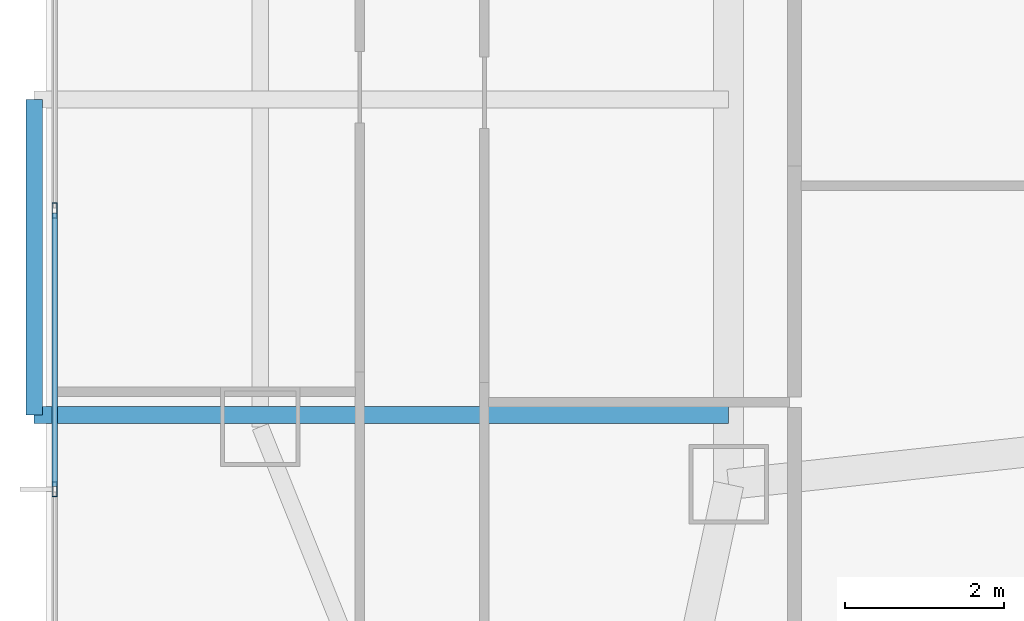
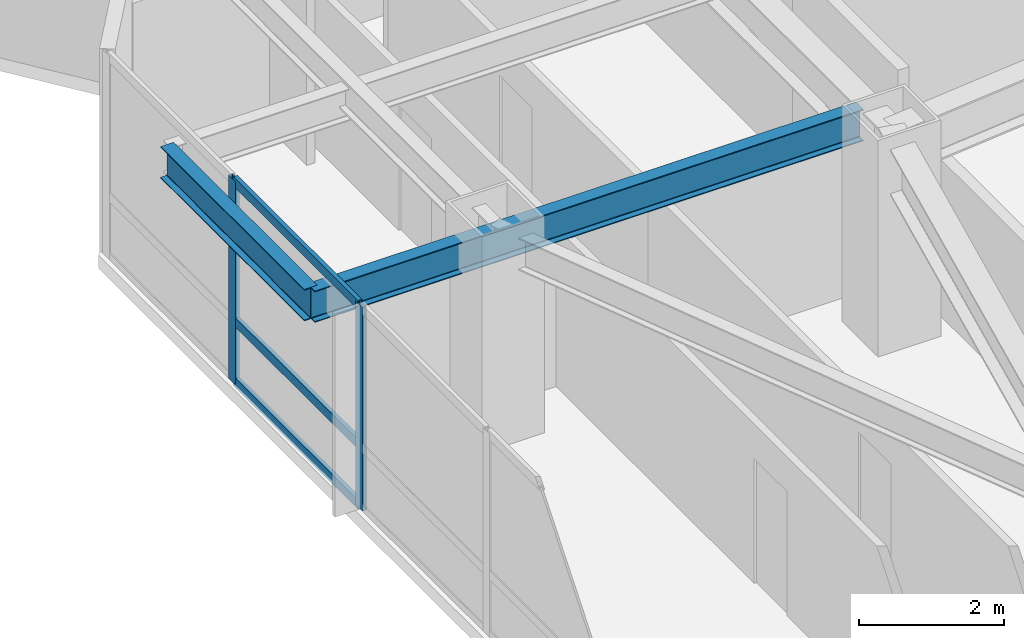
# One storey, part 4 of 18: 5 members, 2 beams, 1 element without a shape of its own.
"""IFC4 building model written with IfcOpenShell, lengths in metres."""

from ifc_helpers import new_model, si_unit, direction, frame, origin, origin_2d, place, context, subcontext, project, spatial, hollow_rectangle, i_section, extrude, material, material_profile, profile_set, type_object, element, aggregate, save


model = new_model("IFC4")

# Units and contexts
model_context = context("Model", 3, precision=1e-05, world=origin(), true_north=direction((0.0, 1.0)))
body_context = subcontext(model_context, "Body", "Model", "MODEL_VIEW")
ifc_project = project(units=[si_unit("LENGTHUNIT", "METRE"), si_unit("AREAUNIT", "SQUARE_METRE"), si_unit("VOLUMEUNIT", "CUBIC_METRE"), si_unit("PLANEANGLEUNIT", "RADIAN"), si_unit("MASSUNIT", "GRAM", prefix="KILO")], contexts=[model_context])

# Site, building, storey
site_placement = place(None, origin())
site = spatial("IfcSite", under=ifc_project, at=site_placement, CompositionType="ELEMENT")
building_placement = place(site_placement, origin())
building = spatial("IfcBuilding", under=site, at=building_placement, Name="Khamvora Tower", CompositionType="ELEMENT")
storey_placement = place(building_placement, frame((0.0, 0.0, 109.199951171875)))
storey = spatial("IfcBuildingStorey", under=building, at=storey_placement, Name="L27", CompositionType="ELEMENT", Elevation=109.199951171875)

# Beams
ifc_material_1 = material(Name="Steel S355", Category="steel")
ifc_material_profile_1 = material_profile(ifc_material_1, i_section(OverallWidth=0.208984375, OverallDepth=0.532958984375, WebThickness=0.010009765625, FlangeThickness=0.01611328125, FilletRadius=0.013916015625, at=origin_2d()), Name="W530x92")
ifc_profile_set_1 = profile_set([ifc_material_profile_1], Name="Steel S355")
beam_type = type_object("IfcBeamType", Name="BM-SP-W530x92", PredefinedType="SPANDREL", material=ifc_profile_set_1)
beam_1_placement = place(storey_placement, frame((18.0, 18.675048828125, 2.964111328125), z_axis=(-1.0, 0.0, 0.0), x_axis=(0.0, -1.0, 0.0)))
element("IfcBeam", 1, at=beam_1_placement, inside=storey, type_object=beam_type, Name="L27 continuous gallery cantilever girder L28-WL1-1", PredefinedType="SPANDREL", context=body_context, shape_type="SweptSolid", body=[
    extrude(i_section(OverallWidth=0.208984375, OverallDepth=0.532958984375, WebThickness=0.010009765625, FlangeThickness=0.01611328125, FilletRadius=0.013916015625, at=origin_2d()), origin(), (0.0, 0.0, 1.0), 8.75),
])
beam_2_placement = place(storey_placement, frame((9.25, 18.675048828125, 2.964111328125), z_axis=(0.0, 1.0, 0.0), x_axis=(-1.0, 0.0, 0.0)))
element("IfcBeam", 2, at=beam_2_placement, inside=storey, type_object=beam_type, Name="L27 external gallery edge header beam L28-WL1", PredefinedType="SPANDREL", context=body_context, shape_type="SweptSolid", body=[
    extrude(i_section(OverallWidth=0.208984375, OverallDepth=0.532958984375, WebThickness=0.010009765625, FlangeThickness=0.01611328125, FilletRadius=0.013916015625, at=origin_2d()), origin(), (0.0, 0.0, 1.0), 3.974853515625),
])

# Curtain wall, members
ifc_material_2 = material(Name="Anodised Aluminium 6063-T6", Category="aluminium")
curtain_wall_type = type_object("IfcCurtainWallType", Name="CW-SYS-03", PredefinedType="NOTDEFINED", material=ifc_material_2)
curtain_wall_placement = place(storey_placement, origin())
curtain_wall = element("IfcCurtainWall", 3, at=curtain_wall_placement, inside=storey, type_object=curtain_wall_type, Name="L27 stick curtain wall 02.1", PredefinedType="NOTDEFINED")
ifc_material_profile_2 = material_profile(ifc_material_2, hollow_rectangle(XDim=0.06494140625, YDim=0.18994140625, WallThickness=0.0048828125, at=origin_2d()), Name="MUL65x190x5")
ifc_profile_set_2 = profile_set([ifc_material_profile_2], Name="Anodised Aluminium 6063-T6")
member_type_1 = type_object("IfcMemberType", Name="CW-SYS-03-MUL", PredefinedType="MULLION", material=ifc_profile_set_2)
member_1_placement = place(storey_placement, frame((9.510009765625, 17.739990234375, 0.0), z_axis=(0.0, 0.0, 1.0), x_axis=(-1.0, 0.0, 0.0)))
member_1 = element("IfcMember", 4, at=member_1_placement, type_object=member_type_1, Name="CW-03 mullion 3", PredefinedType="MULLION", context=body_context, shape_type="SweptSolid", body=[
    extrude(hollow_rectangle(XDim=0.06494140625, YDim=0.18994140625, WallThickness=0.0048828125, at=origin_2d()), origin(), (0.0, 0.0, 1.0), 3.429931640625),
])
member_2_placement = place(storey_placement, frame((9.510009765625, 21.25146484375, 0.0), z_axis=(0.0, 0.0, 1.0), x_axis=(-1.0, 0.0, 0.0)))
member_2 = element("IfcMember", 5, at=member_2_placement, type_object=member_type_1, Name="CW-03 mullion 4", PredefinedType="MULLION", context=body_context, shape_type="SweptSolid", body=[
    extrude(hollow_rectangle(XDim=0.06494140625, YDim=0.18994140625, WallThickness=0.0048828125, at=origin_2d()), origin(), (0.0, 0.0, 1.0), 3.429931640625),
])
ifc_material_profile_3 = material_profile(ifc_material_2, hollow_rectangle(XDim=0.06494140625, YDim=0.155029296875, WallThickness=0.0048828125, at=origin_2d()), Name="TRN65x155x5")
ifc_profile_set_3 = profile_set([ifc_material_profile_3], Name="Anodised Aluminium 6063-T6")
member_type_2 = type_object("IfcMemberType", Name="CW-SYS-03-TRN", PredefinedType="USERDEFINED", material=ifc_profile_set_3)
member_3_placement = place(storey_placement, frame((9.510009765625, 17.7724609375, 0.032470703125), z_axis=(0.0, 1.0, 0.0), x_axis=(-1.0, 0.0, 0.0)))
member_3 = element("IfcMember", 6, at=member_3_placement, type_object=member_type_2, Name="CW-03 transom 3.1", ObjectType="TRANSOM", PredefinedType="USERDEFINED", context=body_context, shape_type="SweptSolid", body=[
    extrude(hollow_rectangle(XDim=0.06494140625, YDim=0.155029296875, WallThickness=0.0048828125, at=origin_2d()), origin(), (0.0, 0.0, 1.0), 3.446533203125),
])
member_4_placement = place(storey_placement, frame((9.510009765625, 17.7724609375, 1.050048828125), z_axis=(0.0, 1.0, 0.0), x_axis=(-1.0, 0.0, 0.0)))
member_4 = element("IfcMember", 7, at=member_4_placement, type_object=member_type_2, Name="CW-03 transom 3.2", ObjectType="TRANSOM", PredefinedType="USERDEFINED", context=body_context, shape_type="SweptSolid", body=[
    extrude(hollow_rectangle(XDim=0.06494140625, YDim=0.155029296875, WallThickness=0.0048828125, at=origin_2d()), origin(), (0.0, 0.0, 1.0), 3.446533203125),
])
member_5_placement = place(storey_placement, frame((9.510009765625, 17.7724609375, 3.3974609375), z_axis=(0.0, 1.0, 0.0), x_axis=(-1.0, 0.0, 0.0)))
member_5 = element("IfcMember", 8, at=member_5_placement, type_object=member_type_2, Name="CW-03 transom 3.3", ObjectType="TRANSOM", PredefinedType="USERDEFINED", context=body_context, shape_type="SweptSolid", body=[
    extrude(hollow_rectangle(XDim=0.06494140625, YDim=0.155029296875, WallThickness=0.0048828125, at=origin_2d()), origin(), (0.0, 0.0, 1.0), 3.446533203125),
])
aggregate(curtain_wall, [member_1, member_2, member_3, member_4, member_5])

save(model, "model.ifc")
